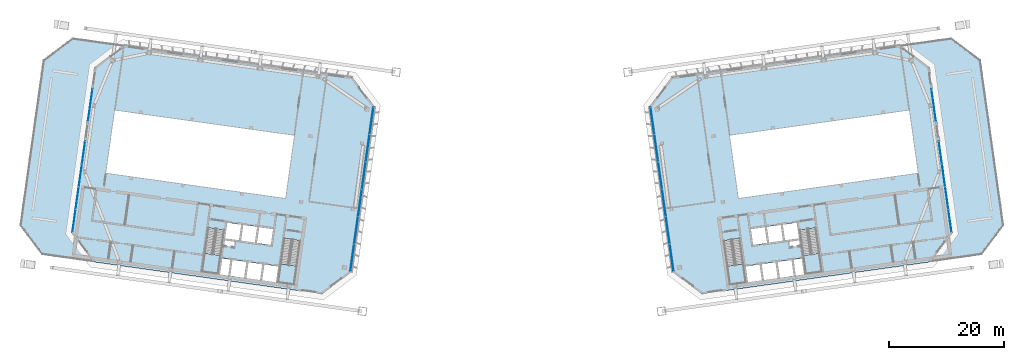
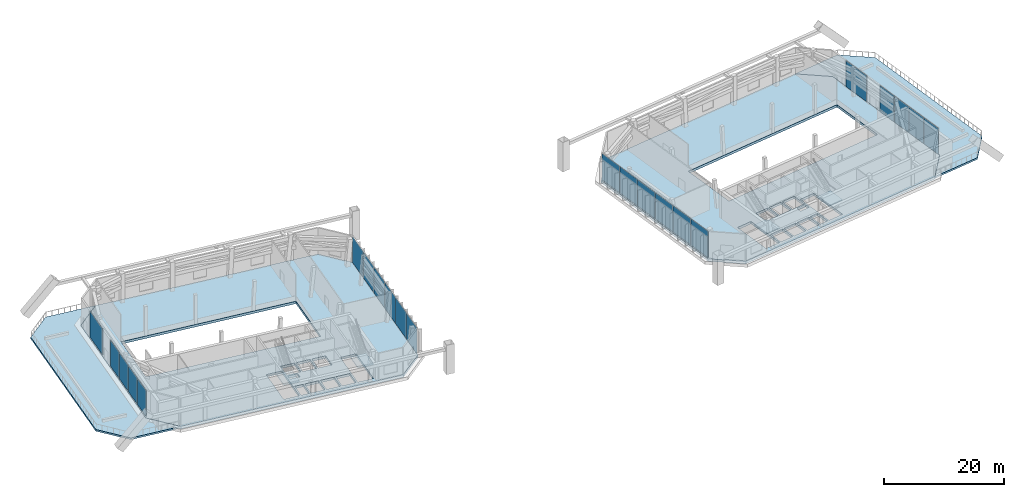
# One storey, part 14 of 29: 22 plates, 8 slabs, 10 elements without a shape of their own.
"""IFC4 building model written with IfcOpenShell, lengths in metres."""

from ifc_helpers import new_model, si_unit, direction, frame, origin, origin_2d, place, context, subcontext, project, spatial, polyline, rectangle, outline, extrude, material, layer, layer_set, type_object, element, aggregate, save


model = new_model("IFC4")

# Units and contexts
model_context = context("Model", 3, precision=1e-05, world=origin(), true_north=direction((0.0, 1.0)))
body_context = subcontext(model_context, "Body", "Model", "MODEL_VIEW")
ifc_project = project(units=[si_unit("LENGTHUNIT", "METRE"), si_unit("AREAUNIT", "SQUARE_METRE"), si_unit("VOLUMEUNIT", "CUBIC_METRE"), si_unit("PLANEANGLEUNIT", "RADIAN"), si_unit("MASSUNIT", "GRAM", prefix="KILO")], contexts=[model_context])

# Site, building, storey
site_placement = place(None, origin())
site = spatial("IfcSite", under=ifc_project, at=site_placement, CompositionType="ELEMENT")
building_placement = place(site_placement, origin())
building = spatial("IfcBuilding", under=site, at=building_placement, Name="Mirante Cascada Hotel Towers", CompositionType="ELEMENT")
storey_placement = place(building_placement, frame((0.0, 0.0, 210.6)))
storey = spatial("IfcBuildingStorey", under=building, at=storey_placement, Name="L50", CompositionType="ELEMENT", Elevation=210.6)

# Curtain wall, plates
ifc_material_1 = material(Name="Aluminium mullion and transom frame with clear laminated glass", Category="aluminium")
curtain_wall_type_1 = type_object("IfcCurtainWallType", Name="End ribbon curtain wall ECW2", PredefinedType="NOTDEFINED", material=ifc_material_1)
curtain_wall_1_placement = place(storey_placement, origin())
curtain_wall_1 = element("IfcCurtainWall", 1, at=curtain_wall_1_placement, inside=storey, type_object=curtain_wall_type_1, Name="Inner end wall T1 L50", PredefinedType="NOTDEFINED")
ifc_material_2 = material(Name="Clear laminated glass", Category="glass")
ifc_layer_1 = layer(ifc_material_2, 0.034)
ifc_layer_set_1 = layer_set([ifc_layer_1], Name="ECW2 glass panel 34")
plate_type_1 = type_object("IfcPlateType", Name="ECW2 glass panel 34", PredefinedType="CURTAIN_PANEL", material=ifc_layer_set_1)
plate_1_placement = place(storey_placement, frame((-24.4116, 9.348, 0.1), z_axis=(0.0, 0.0, 1.0), x_axis=(-0.1391731, -0.9902681, 0.0)))
plate_1 = element("IfcPlate", 2, at=plate_1_placement, type_object=plate_type_1, Name="ECW2 panel 1", PredefinedType="CURTAIN_PANEL", context=body_context, shape_type="SweptSolid", body=[
    extrude(rectangle(XDim=4.7151, YDim=0.034, at=origin_2d()), origin(), (0.0, 0.0, 1.0), 5.35),
])
plate_2_placement = place(storey_placement, frame((-25.0792, 4.5983, 0.1), z_axis=(0.0, 0.0, 1.0), x_axis=(-0.1391731, -0.9902681, 0.0)))
plate_2 = element("IfcPlate", 3, at=plate_2_placement, type_object=plate_type_1, Name="ECW2 panel 2", PredefinedType="CURTAIN_PANEL", context=body_context, shape_type="SweptSolid", body=[
    extrude(rectangle(XDim=4.7476, YDim=0.034, at=origin_2d()), origin(), (0.0, 0.0, 1.0), 5.35),
])
plate_3_placement = place(storey_placement, frame((-25.749, -0.1675, 0.1), z_axis=(0.0, 0.0, 1.0), x_axis=(-0.1391731, -0.9902681, 0.0)))
plate_3 = element("IfcPlate", 4, at=plate_3_placement, type_object=plate_type_1, Name="ECW2 panel 3", PredefinedType="CURTAIN_PANEL", context=body_context, shape_type="SweptSolid", body=[
    extrude(rectangle(XDim=4.7476, YDim=0.034, at=origin_2d()), origin(), (0.0, 0.0, 1.0), 5.35),
])
plate_4_placement = place(storey_placement, frame((-26.4188, -4.9333, 0.1), z_axis=(0.0, 0.0, 1.0), x_axis=(-0.1391731, -0.9902681, 0.0)))
plate_4 = element("IfcPlate", 5, at=plate_4_placement, type_object=plate_type_1, Name="ECW2 panel 4", PredefinedType="CURTAIN_PANEL", context=body_context, shape_type="SweptSolid", body=[
    extrude(rectangle(XDim=4.7476, YDim=0.034, at=origin_2d()), origin(), (0.0, 0.0, 1.0), 5.35),
])
plate_5_placement = place(storey_placement, frame((-27.0885, -9.6991, 0.1), z_axis=(0.0, 0.0, 1.0), x_axis=(-0.1391731, -0.9902681, 0.0)))
plate_5 = element("IfcPlate", 6, at=plate_5_placement, type_object=plate_type_1, Name="ECW2 panel 5", PredefinedType="CURTAIN_PANEL", context=body_context, shape_type="SweptSolid", body=[
    extrude(rectangle(XDim=4.7476, YDim=0.034, at=origin_2d()), origin(), (0.0, 0.0, 1.0), 5.35),
])
plate_6_placement = place(storey_placement, frame((-27.7561, -14.4488, 0.1), z_axis=(0.0, 0.0, 1.0), x_axis=(-0.1391731, -0.9902681, 0.0)))
plate_6 = element("IfcPlate", 7, at=plate_6_placement, type_object=plate_type_1, Name="ECW2 panel 6", PredefinedType="CURTAIN_PANEL", context=body_context, shape_type="SweptSolid", body=[
    extrude(rectangle(XDim=4.7151, YDim=0.034, at=origin_2d()), origin(), (0.0, 0.0, 1.0), 5.35),
])
aggregate(curtain_wall_1, [plate_1, plate_2, plate_3, plate_4, plate_5, plate_6])

curtain_wall_2_placement = place(storey_placement, origin())
curtain_wall_2 = element("IfcCurtainWall", 8, at=curtain_wall_2_placement, inside=storey, type_object=curtain_wall_type_1, Name="Inner end wall T2 L50", PredefinedType="NOTDEFINED")
plate_7_placement = place(storey_placement, frame((24.4116, 9.348, 0.1), z_axis=(0.0, 0.0, 1.0), x_axis=(0.1391731, -0.9902681, 0.0)))
plate_7 = element("IfcPlate", 9, at=plate_7_placement, type_object=plate_type_1, Name="ECW2 panel 1", PredefinedType="CURTAIN_PANEL", context=body_context, shape_type="SweptSolid", body=[
    extrude(rectangle(XDim=4.7151, YDim=0.034, at=origin_2d()), origin(), (0.0, 0.0, 1.0), 5.35),
])
plate_8_placement = place(storey_placement, frame((25.0792, 4.5983, 0.1), z_axis=(0.0, 0.0, 1.0), x_axis=(0.1391731, -0.9902681, 0.0)))
plate_8 = element("IfcPlate", 10, at=plate_8_placement, type_object=plate_type_1, Name="ECW2 panel 2", PredefinedType="CURTAIN_PANEL", context=body_context, shape_type="SweptSolid", body=[
    extrude(rectangle(XDim=4.7476, YDim=0.034, at=origin_2d()), origin(), (0.0, 0.0, 1.0), 5.35),
])
plate_9_placement = place(storey_placement, frame((25.749, -0.1675, 0.1), z_axis=(0.0, 0.0, 1.0), x_axis=(0.1391731, -0.9902681, 0.0)))
plate_9 = element("IfcPlate", 11, at=plate_9_placement, type_object=plate_type_1, Name="ECW2 panel 3", PredefinedType="CURTAIN_PANEL", context=body_context, shape_type="SweptSolid", body=[
    extrude(rectangle(XDim=4.7476, YDim=0.034, at=origin_2d()), origin(), (0.0, 0.0, 1.0), 5.35),
])
plate_10_placement = place(storey_placement, frame((26.4188, -4.9333, 0.1), z_axis=(0.0, 0.0, 1.0), x_axis=(0.1391731, -0.9902681, 0.0)))
plate_10 = element("IfcPlate", 12, at=plate_10_placement, type_object=plate_type_1, Name="ECW2 panel 4", PredefinedType="CURTAIN_PANEL", context=body_context, shape_type="SweptSolid", body=[
    extrude(rectangle(XDim=4.7476, YDim=0.034, at=origin_2d()), origin(), (0.0, 0.0, 1.0), 5.35),
])
plate_11_placement = place(storey_placement, frame((27.0885, -9.6991, 0.1), z_axis=(0.0, 0.0, 1.0), x_axis=(0.1391731, -0.9902681, 0.0)))
plate_11 = element("IfcPlate", 13, at=plate_11_placement, type_object=plate_type_1, Name="ECW2 panel 5", PredefinedType="CURTAIN_PANEL", context=body_context, shape_type="SweptSolid", body=[
    extrude(rectangle(XDim=4.7476, YDim=0.034, at=origin_2d()), origin(), (0.0, 0.0, 1.0), 5.35),
])
plate_12_placement = place(storey_placement, frame((27.7561, -14.4488, 0.1), z_axis=(0.0, 0.0, 1.0), x_axis=(0.1391731, -0.9902681, 0.0)))
plate_12 = element("IfcPlate", 14, at=plate_12_placement, type_object=plate_type_1, Name="ECW2 panel 6", PredefinedType="CURTAIN_PANEL", context=body_context, shape_type="SweptSolid", body=[
    extrude(rectangle(XDim=4.7151, YDim=0.034, at=origin_2d()), origin(), (0.0, 0.0, 1.0), 5.35),
])
aggregate(curtain_wall_2, [plate_7, plate_8, plate_9, plate_10, plate_11, plate_12])

ifc_material_3 = material(Name="Aluminium mullion and transom frame with clear laminated glass", Category="aluminium")
curtain_wall_type_2 = type_object("IfcCurtainWallType", Name="Sky garden curtain wall ECW4", PredefinedType="NOTDEFINED", material=ifc_material_3)
curtain_wall_3_placement = place(storey_placement, origin())
curtain_wall_3 = element("IfcCurtainWall", 15, at=curtain_wall_3_placement, inside=storey, type_object=curtain_wall_type_2, Name="Sky garden wall T1 L50 run 1", PredefinedType="NOTDEFINED")
ifc_material_4 = material(Name="Clear laminated glass", Category="glass")
ifc_layer_2 = layer(ifc_material_4, 0.038)
ifc_layer_set_2 = layer_set([ifc_layer_2], Name="ECW4 glass panel 38")
plate_type_2 = type_object("IfcPlateType", Name="ECW4 glass panel 38", PredefinedType="CURTAIN_PANEL", material=ifc_layer_set_2)
plate_13_placement = place(storey_placement, frame((-76.1413, -8.0517, 0.11), z_axis=(0.0, 0.0, 1.0), x_axis=(0.1391731, 0.9902681, 0.0)))
plate_13 = element("IfcPlate", 16, at=plate_13_placement, type_object=plate_type_2, Name="ECW4 panel 1", PredefinedType="CURTAIN_PANEL", context=body_context, shape_type="SweptSolid", body=[
    extrude(rectangle(XDim=3.897, YDim=0.038, at=origin_2d()), origin(), (0.0, 0.0, 1.0), 5.33),
])
plate_14_placement = place(storey_placement, frame((-75.5859, -4.0998, 0.11), z_axis=(0.0, 0.0, 1.0), x_axis=(0.1391731, 0.9902681, 0.0)))
plate_14 = element("IfcPlate", 17, at=plate_14_placement, type_object=plate_type_2, Name="ECW4 panel 2", PredefinedType="CURTAIN_PANEL", context=body_context, shape_type="SweptSolid", body=[
    extrude(rectangle(XDim=3.9345, YDim=0.038, at=origin_2d()), origin(), (0.0, 0.0, 1.0), 5.33),
])
plate_15_placement = place(storey_placement, frame((-75.0279, -0.1293, 0.11), z_axis=(0.0, 0.0, 1.0), x_axis=(0.1391731, 0.9902681, 0.0)))
plate_15 = element("IfcPlate", 18, at=plate_15_placement, type_object=plate_type_2, Name="ECW4 panel 3", PredefinedType="CURTAIN_PANEL", context=body_context, shape_type="SweptSolid", body=[
    extrude(rectangle(XDim=3.9345, YDim=0.038, at=origin_2d()), origin(), (0.0, 0.0, 1.0), 5.33),
])
plate_16_placement = place(storey_placement, frame((-74.4725, 3.8226, 0.11), z_axis=(0.0, 0.0, 1.0), x_axis=(0.1391731, 0.9902681, 0.0)))
plate_16 = element("IfcPlate", 19, at=plate_16_placement, type_object=plate_type_2, Name="ECW4 panel 4", PredefinedType="CURTAIN_PANEL", context=body_context, shape_type="SweptSolid", body=[
    extrude(rectangle(XDim=3.897, YDim=0.038, at=origin_2d()), origin(), (0.0, 0.0, 1.0), 5.33),
])
aggregate(curtain_wall_3, [plate_13, plate_14, plate_15, plate_16])

# Curtain wall, plate
curtain_wall_4_placement = place(storey_placement, origin())
curtain_wall_4 = element("IfcCurtainWall", 20, at=curtain_wall_4_placement, inside=storey, type_object=curtain_wall_type_2, Name="Sky garden wall T1 L50 run 3", PredefinedType="NOTDEFINED")
plate_17_placement = place(storey_placement, frame((-73.3184, 12.0343, 0.11), z_axis=(0.0, 0.0, 1.0), x_axis=(0.1391731, 0.9902681, 0.0)))
plate_17 = element("IfcPlate", 21, at=plate_17_placement, type_object=plate_type_2, Name="ECW4 panel 1", PredefinedType="CURTAIN_PANEL", context=body_context, shape_type="SweptSolid", body=[
    extrude(rectangle(XDim=5.5879, YDim=0.038, at=origin_2d()), origin(), (0.0, 0.0, 1.0), 5.33),
])
aggregate(curtain_wall_4, [plate_17])

# Curtain wall, plates
curtain_wall_5_placement = place(storey_placement, origin())
curtain_wall_5 = element("IfcCurtainWall", 22, at=curtain_wall_5_placement, inside=storey, type_object=curtain_wall_type_2, Name="Sky garden wall T2 L50 run 1", PredefinedType="NOTDEFINED")
plate_18_placement = place(storey_placement, frame((76.1413, -8.0517, 0.11), z_axis=(0.0, 0.0, 1.0), x_axis=(-0.1391731, 0.9902681, 0.0)))
plate_18 = element("IfcPlate", 23, at=plate_18_placement, type_object=plate_type_2, Name="ECW4 panel 1", PredefinedType="CURTAIN_PANEL", context=body_context, shape_type="SweptSolid", body=[
    extrude(rectangle(XDim=3.897, YDim=0.038, at=origin_2d()), origin(), (0.0, 0.0, 1.0), 5.33),
])
plate_19_placement = place(storey_placement, frame((75.5859, -4.0998, 0.11), z_axis=(0.0, 0.0, 1.0), x_axis=(-0.1391731, 0.9902681, 0.0)))
plate_19 = element("IfcPlate", 24, at=plate_19_placement, type_object=plate_type_2, Name="ECW4 panel 2", PredefinedType="CURTAIN_PANEL", context=body_context, shape_type="SweptSolid", body=[
    extrude(rectangle(XDim=3.9345, YDim=0.038, at=origin_2d()), origin(), (0.0, 0.0, 1.0), 5.33),
])
plate_20_placement = place(storey_placement, frame((75.0279, -0.1293, 0.11), z_axis=(0.0, 0.0, 1.0), x_axis=(-0.1391731, 0.9902681, 0.0)))
plate_20 = element("IfcPlate", 25, at=plate_20_placement, type_object=plate_type_2, Name="ECW4 panel 3", PredefinedType="CURTAIN_PANEL", context=body_context, shape_type="SweptSolid", body=[
    extrude(rectangle(XDim=3.9345, YDim=0.038, at=origin_2d()), origin(), (0.0, 0.0, 1.0), 5.33),
])
plate_21_placement = place(storey_placement, frame((74.4725, 3.8226, 0.11), z_axis=(0.0, 0.0, 1.0), x_axis=(-0.1391731, 0.9902681, 0.0)))
plate_21 = element("IfcPlate", 26, at=plate_21_placement, type_object=plate_type_2, Name="ECW4 panel 4", PredefinedType="CURTAIN_PANEL", context=body_context, shape_type="SweptSolid", body=[
    extrude(rectangle(XDim=3.897, YDim=0.038, at=origin_2d()), origin(), (0.0, 0.0, 1.0), 5.33),
])
aggregate(curtain_wall_5, [plate_18, plate_19, plate_20, plate_21])

# Curtain wall, plate
curtain_wall_6_placement = place(storey_placement, origin())
curtain_wall_6 = element("IfcCurtainWall", 27, at=curtain_wall_6_placement, inside=storey, type_object=curtain_wall_type_2, Name="Sky garden wall T2 L50 run 3", PredefinedType="NOTDEFINED")
plate_22_placement = place(storey_placement, frame((73.3184, 12.0343, 0.11), z_axis=(0.0, 0.0, 1.0), x_axis=(-0.1391731, 0.9902681, 0.0)))
plate_22 = element("IfcPlate", 28, at=plate_22_placement, type_object=plate_type_2, Name="ECW4 panel 1", PredefinedType="CURTAIN_PANEL", context=body_context, shape_type="SweptSolid", body=[
    extrude(rectangle(XDim=5.5879, YDim=0.038, at=origin_2d()), origin(), (0.0, 0.0, 1.0), 5.33),
])
aggregate(curtain_wall_6, [plate_22])

# Stair, slab
ifc_material_5 = material(Name="Concrete C35/45", Category="concrete")
stair_type = type_object("IfcStairType", Name="Exit stair half-turn 1350 concrete C35/45", PredefinedType="HALF_TURN_STAIR", material=ifc_material_5)
stair_1_placement = place(storey_placement, origin())
stair_1 = element("IfcStair", 29, at=stair_1_placement, inside=storey, type_object=stair_type, Name="L50 Exit stair A", PredefinedType="HALF_TURN_STAIR")
ifc_material_6 = material(Name="Concrete C35/45", Category="concrete")
ifc_layer_3 = layer(ifc_material_6, 0.2)
ifc_layer_set_3 = layer_set([ifc_layer_3], Name="Exit stair landing 200 concrete C35/45")
slab_type_1 = type_object("IfcSlabType", Name="Exit stair landing 200 concrete C35/45", PredefinedType="LANDING", material=ifc_layer_set_3)
slab_1_placement = place(storey_placement, frame((0.0, 0.0, 2.8)))
slab_1 = element("IfcSlab", 30, at=slab_1_placement, type_object=slab_type_1, Name="ST1-A landing 1", PredefinedType="LANDING", context=body_context, shape_type="SweptSolid", body=[
    extrude(outline(polyline([(-40.2325, -15.5296), (-40.6887, -18.7757), (-37.8665, -19.1723), (-37.4103, -15.9262), (-40.2325, -15.5296)])), origin(), (0.0, 0.0, 1.0), 0.2),
])
aggregate(stair_1, [slab_1])

stair_2_placement = place(storey_placement, origin())
stair_2 = element("IfcStair", 31, at=stair_2_placement, inside=storey, type_object=stair_type, Name="L50 Exit stair B", PredefinedType="HALF_TURN_STAIR")
slab_2_placement = place(storey_placement, frame((0.0, 0.0, 2.8)))
slab_2 = element("IfcSlab", 32, at=slab_2_placement, type_object=slab_type_1, Name="ST1-B landing 1", PredefinedType="LANDING", context=body_context, shape_type="SweptSolid", body=[
    extrude(outline(polyline([(-53.4526, -13.6716), (-53.9088, -16.9177), (-51.0866, -17.3144), (-50.6304, -14.0683), (-53.4526, -13.6716)])), origin(), (0.0, 0.0, 1.0), 0.2),
])
aggregate(stair_2, [slab_2])

stair_3_placement = place(storey_placement, origin())
stair_3 = element("IfcStair", 33, at=stair_3_placement, inside=storey, type_object=stair_type, Name="L50 Exit stair A", PredefinedType="HALF_TURN_STAIR")
slab_3_placement = place(storey_placement, frame((0.0, 0.0, 2.8)))
slab_3 = element("IfcSlab", 34, at=slab_3_placement, type_object=slab_type_1, Name="ST2-A landing 1", PredefinedType="LANDING", context=body_context, shape_type="SweptSolid", body=[
    extrude(outline(polyline([(37.4103, -15.9262), (37.8665, -19.1723), (40.6887, -18.7757), (40.2325, -15.5296), (37.4103, -15.9262)])), origin(), (0.0, 0.0, 1.0), 0.2),
])
aggregate(stair_3, [slab_3])

stair_4_placement = place(storey_placement, origin())
stair_4 = element("IfcStair", 35, at=stair_4_placement, inside=storey, type_object=stair_type, Name="L50 Exit stair B", PredefinedType="HALF_TURN_STAIR")
slab_4_placement = place(storey_placement, frame((0.0, 0.0, 2.8)))
slab_4 = element("IfcSlab", 36, at=slab_4_placement, type_object=slab_type_1, Name="ST2-B landing 1", PredefinedType="LANDING", context=body_context, shape_type="SweptSolid", body=[
    extrude(outline(polyline([(50.6304, -14.0683), (51.0866, -17.3144), (53.9088, -16.9177), (53.4526, -13.6716), (50.6304, -14.0683)])), origin(), (0.0, 0.0, 1.0), 0.2),
])
aggregate(stair_4, [slab_4])

# Slabs
ifc_material_7 = material(Name="Concrete C40/50", Category="concrete")
ifc_layer_4 = layer(ifc_material_7, 0.5)
ifc_layer_set_4 = layer_set([ifc_layer_4], Name="Post-tensioned flat plate 500 Concrete C40/50")
slab_type_2 = type_object("IfcSlabType", Name="Post-tensioned flat plate 500 Concrete C40/50", PredefinedType="FLOOR", material=ifc_layer_set_4)
slab_5_placement = place(storey_placement, frame((0.0, 0.0, -0.5)))
element("IfcSlab", 37, at=slab_5_placement, inside=storey, type_object=slab_type_2, Name="Floor T1 L50", PredefinedType="FLOOR", context=body_context, shape_type="SweptSolid", body=[
    extrude(outline(polyline([(-27.9533, -16.9301), (-23.9173, 11.7876), (-27.7472, 16.8701), (-67.4616, 22.4516), (-67.4616, 22.4516), (-67.4616, 22.4516), (-67.4616, 22.4516), (-67.4616, 22.4516), (-67.4616, 22.4516), (-67.4616, 22.4516), (-67.4616, 22.4516), (-67.4616, 22.4516), (-72.5441, 18.6217), (-76.5801, -10.0961), (-72.7501, -15.1786), (-72.7501, -15.1786), (-72.7501, -15.1786), (-72.7501, -15.1786), (-72.7501, -15.1786), (-72.7501, -15.1786), (-72.7501, -15.1786), (-72.7501, -15.1786), (-72.7501, -15.1786), (-33.0358, -20.7601), (-27.9533, -16.9301)]), holes=[polyline([(-40.5961, -15.9612), (-40.9858, -18.7339), (-43.4615, -18.386), (-43.0718, -15.6132), (-40.5961, -15.9612)]), polyline([(-43.3689, -15.5715), (-43.7586, -18.3442), (-46.2342, -17.9963), (-45.8446, -15.2236), (-43.3689, -15.5715)]), polyline([(-46.1416, -15.1818), (-46.5313, -17.9546), (-49.007, -17.6066), (-48.6173, -14.8339), (-46.1416, -15.1818)]), polyline([(-36.7887, -11.5037), (-37.8665, -19.1723), (-40.6887, -18.7757), (-39.611, -11.107), (-36.7887, -11.5037)]), polyline([(-43.9775, -9.124), (-41.5018, -9.472), (-41.8915, -12.2447), (-44.3672, -11.8968), (-43.9775, -9.124)]), polyline([(-44.2746, -9.0823), (-44.6643, -11.855), (-47.1399, -11.5071), (-46.7503, -8.7344), (-44.2746, -9.0823)]), polyline([(-50.3998, -14.5834), (-48.9144, -14.7921), (-49.3041, -17.5649), (-50.7895, -17.3561), (-50.3998, -14.5834)]), polyline([(-50.0088, -9.6457), (-51.0866, -17.3144), (-53.9088, -16.9177), (-52.8311, -9.2491), (-50.0088, -9.6457)]), polyline([(-48.1472, -11.6685), (-48.2829, -12.634), (-50.0901, -12.38), (-49.9544, -11.4145), (-48.1472, -11.6685)]), polyline([(-49.523, -8.3447), (-47.0473, -8.6926), (-47.437, -11.4654), (-49.9127, -11.1174), (-49.523, -8.3447)]), polyline([(-69.0481, 11.1625), (-37.8547, 6.7786), (-39.3856, -4.1144), (-70.579, 0.2696), (-69.0481, 11.1625)])]), origin(), (0.0, 0.0, 1.0), 0.5),
])
slab_6_placement = place(storey_placement, frame((0.0, 0.0, -0.5)))
element("IfcSlab", 38, at=slab_6_placement, inside=storey, type_object=slab_type_2, Name="Floor T2 L50", PredefinedType="FLOOR", context=body_context, shape_type="SweptSolid", body=[
    extrude(outline(polyline([(27.9533, -16.9301), (23.9173, 11.7876), (27.7472, 16.8701), (67.4616, 22.4516), (67.4616, 22.4516), (67.4616, 22.4516), (67.4616, 22.4516), (67.4616, 22.4516), (67.4616, 22.4516), (67.4616, 22.4516), (67.4616, 22.4516), (67.4616, 22.4516), (72.5441, 18.6217), (76.5801, -10.0961), (72.7501, -15.1786), (72.7501, -15.1786), (72.7501, -15.1786), (72.7501, -15.1786), (72.7501, -15.1786), (72.7501, -15.1786), (72.7501, -15.1786), (72.7501, -15.1786), (72.7501, -15.1786), (33.0358, -20.7601), (27.9533, -16.9301)]), holes=[polyline([(40.5961, -15.9612), (40.9858, -18.7339), (43.4615, -18.386), (43.0718, -15.6132), (40.5961, -15.9612)]), polyline([(43.3689, -15.5715), (43.7586, -18.3442), (46.2342, -17.9963), (45.8446, -15.2236), (43.3689, -15.5715)]), polyline([(46.1416, -15.1818), (46.5313, -17.9546), (49.007, -17.6066), (48.6173, -14.8339), (46.1416, -15.1818)]), polyline([(37.8665, -19.1723), (40.6887, -18.7757), (39.611, -11.107), (36.7887, -11.5037), (37.8665, -19.1723)]), polyline([(43.9775, -9.124), (41.5018, -9.472), (41.8915, -12.2447), (44.3672, -11.8968), (43.9775, -9.124)]), polyline([(44.2746, -9.0823), (44.6643, -11.855), (47.1399, -11.5071), (46.7503, -8.7344), (44.2746, -9.0823)]), polyline([(50.3998, -14.5834), (48.9144, -14.7921), (49.3041, -17.5649), (50.7895, -17.3561), (50.3998, -14.5834)]), polyline([(51.0866, -17.3144), (53.9088, -16.9177), (52.8311, -9.2491), (50.0088, -9.6457), (51.0866, -17.3144)]), polyline([(48.1472, -11.6685), (48.2829, -12.634), (50.0901, -12.38), (49.9544, -11.4145), (48.1472, -11.6685)]), polyline([(49.523, -8.3447), (47.0473, -8.6926), (47.437, -11.4654), (49.9127, -11.1174), (49.523, -8.3447)]), polyline([(69.0481, 11.1625), (37.8547, 6.7786), (39.3856, -4.1144), (70.579, 0.2696), (69.0481, 11.1625)])]), origin(), (0.0, 0.0, 1.0), 0.5),
])
ifc_material_8 = material(Name="Concrete C40/50", Category="concrete")
ifc_layer_5 = layer(ifc_material_8, 0.35)
ifc_layer_set_5 = layer_set([ifc_layer_5], Name="Terrace slab 350 Concrete C40/50")
slab_type_3 = type_object("IfcSlabType", Name="Terrace slab 350 Concrete C40/50", PredefinedType="FLOOR", material=ifc_layer_set_5)
slab_7_placement = place(storey_placement, frame((0.0, 0.0, -0.35)))
element("IfcSlab", 39, at=slab_7_placement, inside=storey, type_object=slab_type_3, Name="Terrace T1 L50", PredefinedType="FLOOR", context=body_context, shape_type="SweptSolid", body=[
    extrude(outline(polyline([(-76.374, 23.7042), (-81.4565, 19.8742), (-85.4925, -8.8435), (-81.6626, -13.926), (-72.7501, -15.1786), (-76.5801, -10.0961), (-72.5441, 18.6217), (-67.4616, 22.4516), (-76.374, 23.7042)])), origin(), (0.0, 0.0, 1.0), 0.35),
])
slab_8_placement = place(storey_placement, frame((0.0, 0.0, -0.35)))
element("IfcSlab", 40, at=slab_8_placement, inside=storey, type_object=slab_type_3, Name="Terrace T2 L50", PredefinedType="FLOOR", context=body_context, shape_type="SweptSolid", body=[
    extrude(outline(polyline([(76.374, 23.7042), (81.4565, 19.8742), (85.4925, -8.8435), (81.6626, -13.926), (72.7501, -15.1786), (76.5801, -10.0961), (72.5441, 18.6217), (67.4616, 22.4516), (76.374, 23.7042)])), origin(), (0.0, 0.0, 1.0), 0.35),
])

save(model, "model.ifc")
